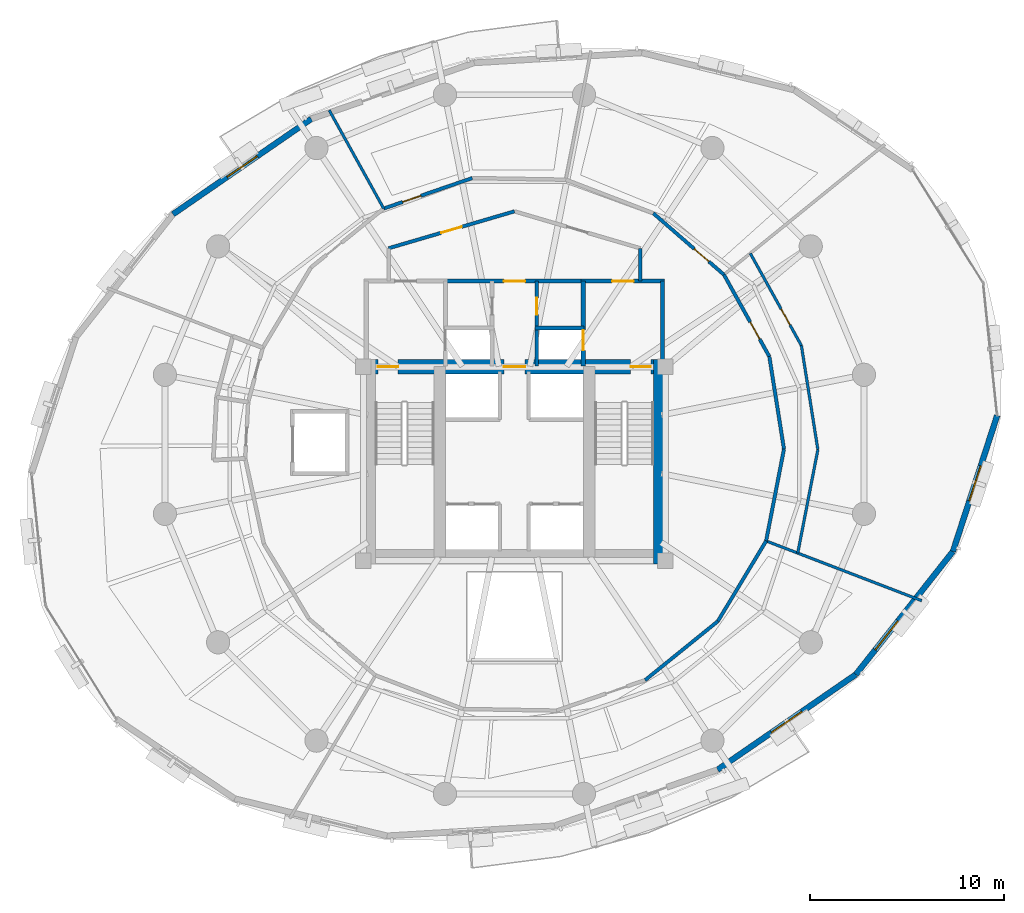
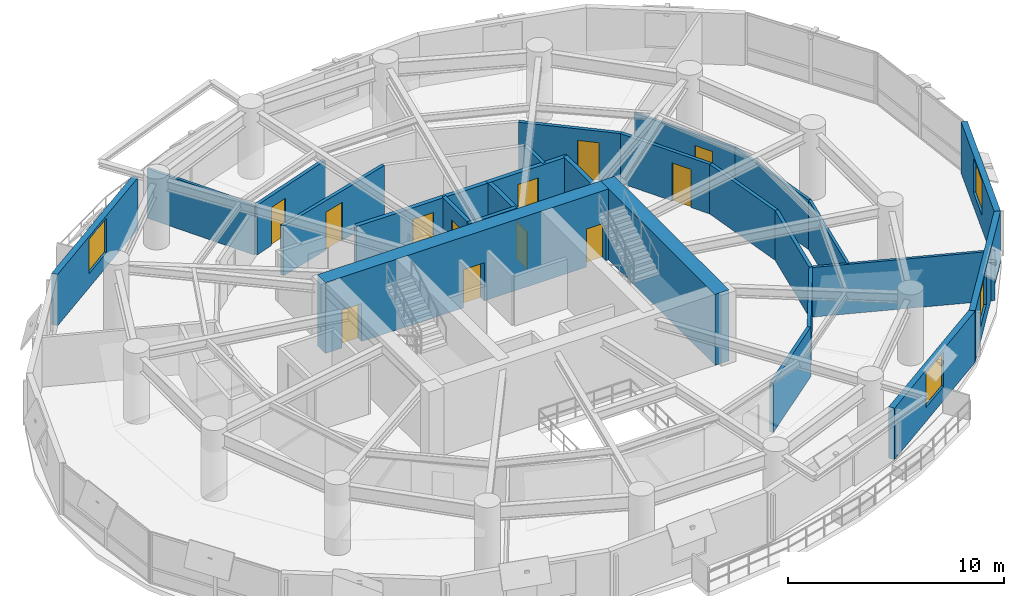
# One storey, part 11 of 15: 26 walls, 12 doors, 4 windows, 16 openings.
"""IFC4 building model written with IfcOpenShell, lengths in metres."""

from ifc_helpers import new_model, si_unit, direction, frame, frame_2d, origin, place, context, subcontext, project, spatial, rectangle, extrude, material, layer, layer_set, type_object, element, fill, save


model = new_model("IFC4")

# Units and contexts
model_context = context("Model", 3, precision=1e-05, world=origin(), true_north=direction((0.0, 1.0)))
body_context = subcontext(model_context, "Body", "Model", "MODEL_VIEW")
ifc_project = project(units=[si_unit("LENGTHUNIT", "METRE"), si_unit("AREAUNIT", "SQUARE_METRE"), si_unit("VOLUMEUNIT", "CUBIC_METRE"), si_unit("PLANEANGLEUNIT", "RADIAN"), si_unit("MASSUNIT", "GRAM", prefix="KILO"), si_unit("THERMODYNAMICTEMPERATUREUNIT", "KELVIN"), si_unit("POWERUNIT", "WATT")], contexts=[model_context])

# Site, building, storey
site_placement = place(None, origin())
site = spatial("IfcSite", under=ifc_project, at=site_placement, CompositionType="ELEMENT")
building_placement = place(site_placement, origin())
building = spatial("IfcBuilding", under=site, at=building_placement, Name="Ocrelia Relay Tower", CompositionType="ELEMENT")
storey_placement = place(building_placement, frame((0.0, 0.0, 113.800048828125)))
storey = spatial("IfcBuildingStorey", under=building, at=storey_placement, Name="L26", CompositionType="ELEMENT", Elevation=113.800048828125)

# Wall, openings, doors
ifc_material_1 = material(Name="Concrete C60/75", Category="concrete")
ifc_layer_1 = layer(ifc_material_1, 0.75, Name="Concrete C60/75")
ifc_layer_set_1 = layer_set([ifc_layer_1], Name="Concrete C60/75")
wall_type_1 = type_object("IfcWallType", Name="CW-CORE-750", PredefinedType="SHEAR", material=ifc_layer_set_1)
wall_1_placement = place(storey_placement, frame((26.072021484375, 30.012939453125, 0.0), z_axis=(0.0, 0.0, 1.0), x_axis=(1.0, 0.0, 0.0)))
wall_1 = element("IfcWall", 1, at=wall_1_placement, inside=storey, type_object=wall_type_1, Name="L26 Core Shear Wall N", PredefinedType="SHEAR", context=body_context, shape_type="SweptSolid", body=[
    extrude(rectangle(XDim=15.865966796875, YDim=0.75, at=frame_2d((7.93310546875, 0.0))), origin(), (0.0, 0.0, 1.0), 4.0),
])
opening_1_placement = place(wall_1_placement, frame((0.8779296875, 0.0, 0.0)))
opening_1 = element("IfcOpeningElement", 2, at=opening_1_placement, cuts=wall_1, Name="Opening D-FD90", PredefinedType="OPENING", context=body_context, shape_type="SweptSolid", body=[
    extrude(rectangle(XDim=1.050048828125, YDim=2.14990234375, at=frame_2d((0.52490234375, 1.074951171875))), frame((0.0, 0.385009765625, 0.0), z_axis=(0.0, -1.0, 0.0), x_axis=(1.0, 0.0, 0.0)), (0.0, 0.0, 1.0), 0.77001953125),
])
opening_2_placement = place(wall_1_placement, frame((13.927978515625, 0.0, 0.0)))
opening_2 = element("IfcOpeningElement", 3, at=opening_2_placement, cuts=wall_1, Name="Opening D-FD90", PredefinedType="OPENING", context=body_context, shape_type="SweptSolid", body=[
    extrude(rectangle(XDim=1.050048828125, YDim=2.14990234375, at=frame_2d((0.52490234375, 1.074951171875))), frame((0.0, 0.385009765625, 0.0), z_axis=(0.0, -1.0, 0.0), x_axis=(1.0, 0.0, 0.0)), (0.0, 0.0, 1.0), 0.77001953125),
])
opening_3_placement = place(wall_1_placement, frame((7.3779296875, 0.0, 0.0)))
opening_3 = element("IfcOpeningElement", 4, at=opening_3_placement, cuts=wall_1, Name="Opening D-FD60", PredefinedType="OPENING", context=body_context, shape_type="SweptSolid", body=[
    extrude(rectangle(XDim=1.10009765625, YDim=2.14990234375, at=frame_2d((0.550048828125, 1.074951171875))), frame((0.0, 0.385009765625, 0.0), z_axis=(0.0, -1.0, 0.0), x_axis=(1.0, 0.0, 0.0)), (0.0, 0.0, 1.0), 0.77001953125),
])
ifc_material_2 = material(Name="Timber-core 60-min acoustic fire door", Category="wood")
door_type_1 = type_object("IfcDoorType", Name="DR-LOBBY-FD60-1100", OperationType="NOTDEFINED", PredefinedType="DOOR", material=ifc_material_2)
door_1_placement = place(opening_3_placement, origin())
door_1 = element("IfcDoor", 5, at=door_1_placement, inside=storey, type_object=door_type_1, Name="L26 Core Lift Lobby North Fire Door", OperationType="SINGLE_SWING_RIGHT", OverallHeight=2.14990234375, OverallWidth=1.10009765625, PredefinedType="DOOR", context=body_context, shape_type="SweptSolid", body=[
    extrude(rectangle(XDim=1.10009765625, YDim=2.14990234375, at=frame_2d((0.550048828125, 1.074951171875))), frame((0.0, 0.02490234375, 0.0), z_axis=(0.0, -1.0, 0.0), x_axis=(1.0, 0.0, 0.0)), (0.0, 0.0, 1.0), 0.050048828125),
])
fill(opening_3, door_1)
ifc_material_3 = material(Name="Steel S355 90-min fire door", Category="steel")
door_type_2 = type_object("IfcDoorType", Name="DR-STAIR-FD90-1050", OperationType="NOTDEFINED", PredefinedType="DOOR", material=ifc_material_3)
door_2_placement = place(opening_1_placement, origin())
door_2 = element("IfcDoor", 6, at=door_2_placement, inside=storey, type_object=door_type_2, Name="L26 Stair ST1 Fire Door", OperationType="SINGLE_SWING_RIGHT", OverallHeight=2.14990234375, OverallWidth=1.050048828125, PredefinedType="DOOR", context=body_context, shape_type="SweptSolid", body=[
    extrude(rectangle(XDim=1.050048828125, YDim=2.14990234375, at=frame_2d((0.52490234375, 1.074951171875))), frame((0.0, 0.02490234375, 0.0), z_axis=(0.0, -1.0, 0.0), x_axis=(1.0, 0.0, 0.0)), (0.0, 0.0, 1.0), 0.050048828125),
])
fill(opening_1, door_2)
door_3_placement = place(opening_2_placement, origin())
door_3 = element("IfcDoor", 7, at=door_3_placement, inside=storey, type_object=door_type_2, Name="L26 Stair ST2 Fire Door", OperationType="SINGLE_SWING_LEFT", OverallHeight=2.14990234375, OverallWidth=1.050048828125, PredefinedType="DOOR", context=body_context, shape_type="SweptSolid", body=[
    extrude(rectangle(XDim=1.050048828125, YDim=2.14990234375, at=frame_2d((0.52490234375, 1.074951171875))), frame((0.0, 0.02490234375, 0.0), z_axis=(0.0, -1.0, 0.0), x_axis=(1.0, 0.0, 0.0)), (0.0, 0.0, 1.0), 0.050048828125),
])
fill(opening_2, door_3)

# Walls
wall_2_placement = place(storey_placement, frame((41.56298828125, 19.81201171875, 0.0), z_axis=(0.0, 0.0, 1.0), x_axis=(0.0, 1.0, 0.0)))
element("IfcWall", 8, at=wall_2_placement, inside=storey, type_object=wall_type_1, Name="L26 Core Shear Wall E", PredefinedType="SHEAR", context=body_context, shape_type="SweptSolid", body=[
    extrude(rectangle(XDim=10.575927734375, YDim=0.75, at=frame_2d((5.2880859375, 0.0))), origin(), (0.0, 0.0, 1.0), 4.0),
])
ifc_material_4 = material(Name="Gypsum Fireboard Partition EI60", Category="gypsum")
ifc_layer_2 = layer(ifc_material_4, 0.179931640625, Name="Gypsum Fireboard Partition EI60")
ifc_layer_set_2 = layer_set([ifc_layer_2], Name="Gypsum Fireboard Partition EI60")
wall_type_2 = type_object("IfcWallType", Name="W-CORR-EI60-180", PredefinedType="PARTITIONING", material=ifc_layer_set_2)
wall_3_placement = place(storey_placement, frame((40.5, 36.122802734375, 0.0), z_axis=(0.0, 0.0, 1.0), x_axis=(0.0, -1.0, 0.0)))
element("IfcWall", 9, at=wall_3_placement, inside=storey, type_object=wall_type_2, Name="L26 Smoke Lobby East Return", PredefinedType="PARTITIONING", context=body_context, shape_type="SweptSolid", body=[
    extrude(rectangle(XDim=1.69287109375, YDim=0.179931640625, at=frame_2d((0.846435546875, 0.0))), origin(), (0.0, 0.0, 1.0), 2.800048828125),
])

# Wall, opening, door
wall_4_placement = place(storey_placement, frame((27.5, 36.122802734375, 0.0), z_axis=(0.0, 0.0, 1.0), x_axis=(0.959546654541, 0.281549671923, 0.0)))
wall_4 = element("IfcWall", 10, at=wall_4_placement, inside=storey, type_object=wall_type_2, Name="L26 North Smoke Lobby W Screen Wall", PredefinedType="PARTITIONING", context=body_context, shape_type="SweptSolid", body=[
    extrude(rectangle(XDim=6.77392578125, YDim=0.179931640625, at=frame_2d((3.386962890625, 0.0))), origin(), (0.0, 0.0, 1.0), 2.800048828125),
])
opening_4_placement = place(wall_4_placement, frame((2.8369140625, 0.0, 0.0)))
opening_4 = element("IfcOpeningElement", 11, at=opening_4_placement, cuts=wall_4, Name="Opening D-FD60", PredefinedType="OPENING", context=body_context, shape_type="SweptSolid", body=[
    extrude(rectangle(XDim=1.10009765625, YDim=2.14990234375, at=frame_2d((0.550048828125, 1.074951171875))), frame((0.0, 0.10009765625, 0.0), z_axis=(0.0, -1.0, 0.0), x_axis=(1.0, 0.0, 0.0)), (0.0, 0.0, 1.0), 0.199951171875),
])
door_4_placement = place(opening_4_placement, origin())
door_4 = element("IfcDoor", 12, at=door_4_placement, inside=storey, type_object=door_type_1, Name="L26 North Smoke Lobby W Fire Door", OperationType="SINGLE_SWING_RIGHT", OverallHeight=2.14990234375, OverallWidth=1.10009765625, PredefinedType="DOOR", context=body_context, shape_type="SweptSolid", body=[
    extrude(rectangle(XDim=1.10009765625, YDim=2.14990234375, at=frame_2d((0.550048828125, 1.074951171875))), frame((0.0, 0.02490234375, 0.0), z_axis=(0.0, -1.0, 0.0), x_axis=(1.0, 0.0, 0.0)), (0.0, 0.0, 1.0), 0.050048828125),
])
fill(opening_4, door_4)

# Walls
wall_5_placement = place(storey_placement, frame((40.74853515625, 13.8251953125, 0.0), z_axis=(0.0, 0.0, 1.0), x_axis=(0.777140194095, 0.629327513082, 0.0)))
element("IfcWall", 13, at=wall_5_placement, inside=storey, type_object=wall_type_2, Name="L26 Optical Switching Hall A Corridor Partition 4", PredefinedType="PARTITIONING", context=body_context, shape_type="SweptSolid", body=[
    extrude(rectangle(XDim=4.83447265625, YDim=0.179931640625, at=frame_2d((2.417236328125, 0.0))), origin(), (0.0, 0.0, 1.0), 2.800048828125),
])
wall_6_placement = place(storey_placement, frame((44.505615234375, 16.86767578125, 0.0), z_axis=(0.0, 0.0, 1.0), x_axis=(0.515022962095, 0.857176381216, 0.0)))
element("IfcWall", 14, at=wall_6_placement, inside=storey, type_object=wall_type_2, Name="L26 Optical Switching Hall A Corridor Partition 5", PredefinedType="PARTITIONING", context=body_context, shape_type="SweptSolid", body=[
    extrude(rectangle(XDim=4.834228515625, YDim=0.179931640625, at=frame_2d((2.4169921875, 0.0))), origin(), (0.0, 0.0, 1.0), 2.800048828125),
])
for number, where, z_axis, x_axis, name in (
    (15, (46.995361328125, 21.011474609375, 0.0), (0.0, 0.0, 1.0), (0.190839922146, 0.981621171387, 0.0), "L26 Training Seminar Room Corridor Partition 1"),
    (16, (47.91796875, 25.757080078125, 0.0), (0.0, 0.0, 1.0), (-0.156450087595, 0.987685866099, 0.0), "L26 Training Seminar Room Corridor Partition 2"),
):
    element("IfcWall", number, at=place(storey_placement, frame(where, z_axis=z_axis, x_axis=x_axis)), inside=storey, type_object=wall_type_2, Name=name, PredefinedType="PARTITIONING", context=body_context, shape_type="SweptSolid", body=[
        extrude(rectangle(XDim=4.83447265625, YDim=0.179931640625, at=frame_2d((2.417236328125, 0.0))), origin(), (0.0, 0.0, 1.0), 2.800048828125),
    ])

# Wall, opening, door
wall_7_placement = place(storey_placement, frame((47.16162109375, 30.531982421875, 0.0), z_axis=(0.0, 0.0, 1.0), x_axis=(-0.484828003388, 0.874609516945, 0.0)))
wall_7 = element("IfcWall", 17, at=wall_7_placement, inside=storey, type_object=wall_type_2, Name="L26 Training Seminar Room Corridor Partition 3", PredefinedType="PARTITIONING", context=body_context, shape_type="SweptSolid", body=[
    extrude(rectangle(XDim=4.834228515625, YDim=0.179931640625, at=frame_2d((2.4169921875, 0.0))), origin(), (0.0, 0.0, 1.0), 2.800048828125),
])
opening_5_placement = place(wall_7_placement, frame((1.03369140625, 0.0, 0.0)))
opening_5 = element("IfcOpeningElement", 18, at=opening_5_placement, cuts=wall_7, Name="Opening D-RM100", PredefinedType="OPENING", context=body_context, shape_type="SweptSolid", body=[
    extrude(rectangle(XDim=1.0, YDim=2.14990234375, at=frame_2d((0.5, 1.074951171875))), frame((0.0, 0.10009765625, 0.0), z_axis=(0.0, -1.0, 0.0), x_axis=(1.0, 0.0, 0.0)), (0.0, 0.0, 1.0), 0.199951171875),
])
ifc_material_5 = material(Name="Acoustic oak veneer fire door", Category="wood")
door_type_3 = type_object("IfcDoorType", Name="DR-ROOM-FD60-1000", OperationType="NOTDEFINED", PredefinedType="DOOR", material=ifc_material_5)
door_5_placement = place(opening_5_placement, origin())
door_5 = element("IfcDoor", 19, at=door_5_placement, inside=storey, type_object=door_type_3, Name="L26 Training Seminar Room Entrance Door", OperationType="SINGLE_SWING_RIGHT", OverallHeight=2.14990234375, OverallWidth=1.0, PredefinedType="DOOR", context=body_context, shape_type="SweptSolid", body=[
    extrude(rectangle(XDim=1.0, YDim=2.14990234375, at=frame_2d((0.5, 1.074951171875))), frame((0.0, 0.02490234375, 0.0), z_axis=(0.0, -1.0, 0.0), x_axis=(1.0, 0.0, 0.0)), (0.0, 0.0, 1.0), 0.050048828125),
])
fill(opening_5, door_5)

wall_8_placement = place(storey_placement, frame((44.81787109375, 34.760009765625, 0.0), z_axis=(0.0, 0.0, 1.0), x_axis=(-0.754696835755, 0.656073689537, 0.0)))
wall_8 = element("IfcWall", 20, at=wall_8_placement, inside=storey, type_object=wall_type_2, Name="L26 Technical Briefing Room Corridor Partition 1", PredefinedType="PARTITIONING", context=body_context, shape_type="SweptSolid", body=[
    extrude(rectangle(XDim=4.834716796875, YDim=0.179931640625, at=frame_2d((2.41748046875, 0.0))), origin(), (0.0, 0.0, 1.0), 2.800048828125),
])
opening_6_placement = place(wall_8_placement, frame((1.03369140625, 0.0, 0.0)))
opening_6 = element("IfcOpeningElement", 21, at=opening_6_placement, cuts=wall_8, Name="Opening D-RM100", PredefinedType="OPENING", context=body_context, shape_type="SweptSolid", body=[
    extrude(rectangle(XDim=1.0, YDim=2.14990234375, at=frame_2d((0.5, 1.074951171875))), frame((0.0, 0.10009765625, 0.0), z_axis=(0.0, -1.0, 0.0), x_axis=(1.0, 0.0, 0.0)), (0.0, 0.0, 1.0), 0.199951171875),
])
door_6_placement = place(opening_6_placement, origin())
door_6 = element("IfcDoor", 22, at=door_6_placement, inside=storey, type_object=door_type_3, Name="L26 Technical Briefing Room Entrance Door", OperationType="SINGLE_SWING_RIGHT", OverallHeight=2.14990234375, OverallWidth=1.0, PredefinedType="DOOR", context=body_context, shape_type="SweptSolid", body=[
    extrude(rectangle(XDim=1.0, YDim=2.14990234375, at=frame_2d((0.5, 1.074951171875))), frame((0.0, 0.02490234375, 0.0), z_axis=(0.0, -1.0, 0.0), x_axis=(1.0, 0.0, 0.0)), (0.0, 0.0, 1.0), 0.050048828125),
])
fill(opening_6, door_6)

wall_9_placement = place(storey_placement, frame((31.822509765625, 39.74853515625, 0.0), z_axis=(0.0, 0.0, 1.0), x_axis=(-0.945531725064, -0.325529963134, 0.0)))
wall_9 = element("IfcWall", 23, at=wall_9_placement, inside=storey, type_object=wall_type_2, Name="L26 Photonics Testing Studio Corridor Partition 2", PredefinedType="PARTITIONING", context=body_context, shape_type="SweptSolid", body=[
    extrude(rectangle(XDim=4.83447265625, YDim=0.179931640625, at=frame_2d((2.417236328125, 0.0))), origin(), (0.0, 0.0, 1.0), 2.800048828125),
])
opening_7_placement = place(wall_9_placement, frame((2.80078125, 0.0, 0.0)))
opening_7 = element("IfcOpeningElement", 24, at=opening_7_placement, cuts=wall_9, Name="Opening D-RM100", PredefinedType="OPENING", context=body_context, shape_type="SweptSolid", body=[
    extrude(rectangle(XDim=1.0, YDim=2.14990234375, at=frame_2d((0.5, 1.074951171875))), frame((0.0, 0.10009765625, 0.0), z_axis=(0.0, -1.0, 0.0), x_axis=(1.0, 0.0, 0.0)), (0.0, 0.0, 1.0), 0.199951171875),
])
door_7_placement = place(opening_7_placement, origin())
door_7 = element("IfcDoor", 25, at=door_7_placement, inside=storey, type_object=door_type_3, Name="L26 Photonics Testing Studio Entrance Door", OperationType="SINGLE_SWING_LEFT", OverallHeight=2.14990234375, OverallWidth=1.0, PredefinedType="DOOR", context=body_context, shape_type="SweptSolid", body=[
    extrude(rectangle(XDim=1.0, YDim=2.14990234375, at=frame_2d((0.5, 1.074951171875))), frame((0.0, 0.02490234375, 0.0), z_axis=(0.0, -1.0, 0.0), x_axis=(1.0, 0.0, 0.0)), (0.0, 0.0, 1.0), 0.050048828125),
])
fill(opening_7, door_7)

# Wall, opening, window
ifc_material_6 = material(Name="Precast concrete C40/50 with oxide terracotta", Category="masonry")
ifc_layer_3 = layer(ifc_material_6, 0.300048828125, Name="Precast concrete C40/50 with oxide terracotta")
ifc_layer_set_3 = layer_set([ifc_layer_3], Name="Precast concrete C40/50 with oxide terracotta")
wall_type_3 = type_object("IfcWallType", Name="W-EXT-TERR-300", PredefinedType="SOLIDWALL", material=ifc_layer_set_3)
wall_10_placement = place(storey_placement, frame((23.5126953125, 42.80322265625, 0.0), z_axis=(0.0, 0.0, 1.0), x_axis=(-0.823433656397, -0.567412560235, 0.0)))
wall_10 = element("IfcWall", 26, at=wall_10_placement, inside=storey, type_object=wall_type_3, Name="L26 Oxide Terracotta Facade Wall 06", PredefinedType="SOLIDWALL", context=body_context, shape_type="SweptSolid", body=[
    extrude(rectangle(XDim=8.6728515625, YDim=0.300048828125, at=frame_2d((4.33642578125, 0.0))), origin(), (0.0, 0.0, 1.0), 2.89990234375),
])
opening_8_placement = place(wall_10_placement, frame((3.385986328125, 0.0, 0.800048828125)))
opening_8 = element("IfcOpeningElement", 27, at=opening_8_placement, cuts=wall_10, Name="Opening W-06", PredefinedType="OPENING", context=body_context, shape_type="SweptSolid", body=[
    extrude(rectangle(XDim=1.89990234375, YDim=1.949951171875, at=frame_2d((0.949951171875, 0.97509765625))), frame((0.0, 0.16015625, 0.0), z_axis=(0.0, -1.0, 0.0), x_axis=(1.0, 0.0, 0.0)), (0.0, 0.0, 1.0), 0.320068359375),
])
ifc_material_7 = material(Name="Clear double-glazed low-E glass", Category="glass")
window_type = type_object("IfcWindowType", Name="WIN-Z2-1900x2100", PartitioningType="DOUBLE_PANEL_VERTICAL", PredefinedType="WINDOW", material=ifc_material_7)
window_1_placement = place(opening_8_placement, origin())
window_1 = element("IfcWindow", 28, at=window_1_placement, inside=storey, type_object=window_type, Name="L26 Facade Module Window 06", OverallHeight=1.949951171875, OverallWidth=1.89990234375, PartitioningType="SINGLE_PANEL", PredefinedType="WINDOW", context=body_context, shape_type="SweptSolid", body=[
    extrude(rectangle(XDim=1.89990234375, YDim=1.949951171875, at=frame_2d((0.949951171875, 0.97509765625))), frame((0.0, 0.030029296875, 0.0), z_axis=(0.0, -1.0, 0.0), x_axis=(1.0, 0.0, 0.0)), (0.0, 0.0, 1.0), 0.06005859375),
])
fill(opening_8, window_1)

wall_11_placement = place(storey_placement, frame((44.4873046875, 9.19677734375, 0.0), z_axis=(0.0, 0.0, 1.0), x_axis=(0.823433656397, 0.567412560235, 0.0)))
wall_11 = element("IfcWall", 29, at=wall_11_placement, inside=storey, type_object=wall_type_3, Name="L26 Oxide Terracotta Facade Wall 15", PredefinedType="SOLIDWALL", context=body_context, shape_type="SweptSolid", body=[
    extrude(rectangle(XDim=8.6728515625, YDim=0.300048828125, at=frame_2d((4.33642578125, 0.0))), origin(), (0.0, 0.0, 1.0), 2.89990234375),
])
opening_9_placement = place(wall_11_placement, frame((3.385986328125, 0.0, 0.800048828125)))
opening_9 = element("IfcOpeningElement", 30, at=opening_9_placement, cuts=wall_11, Name="Opening W-06", PredefinedType="OPENING", context=body_context, shape_type="SweptSolid", body=[
    extrude(rectangle(XDim=1.89990234375, YDim=1.949951171875, at=frame_2d((0.949951171875, 0.97509765625))), frame((0.0, 0.16015625, 0.0), z_axis=(0.0, -1.0, 0.0), x_axis=(1.0, 0.0, 0.0)), (0.0, 0.0, 1.0), 0.320068359375),
])
window_2_placement = place(opening_9_placement, origin())
window_2 = element("IfcWindow", 31, at=window_2_placement, inside=storey, type_object=window_type, Name="L26 Facade Module Window 15", OverallHeight=1.949951171875, OverallWidth=1.89990234375, PartitioningType="SINGLE_PANEL", PredefinedType="WINDOW", context=body_context, shape_type="SweptSolid", body=[
    extrude(rectangle(XDim=1.89990234375, YDim=1.949951171875, at=frame_2d((0.949951171875, 0.97509765625))), frame((0.0, 0.030029296875, 0.0), z_axis=(0.0, -1.0, 0.0), x_axis=(1.0, 0.0, 0.0)), (0.0, 0.0, 1.0), 0.06005859375),
])
fill(opening_9, window_2)

wall_12_placement = place(storey_placement, frame((51.62890625, 14.117919921875, 0.0), z_axis=(0.0, 0.0, 1.0), x_axis=(0.619524983764, 0.784976938828, 0.0)))
wall_12 = element("IfcWall", 32, at=wall_12_placement, inside=storey, type_object=wall_type_3, Name="L26 Oxide Terracotta Facade Wall 16", PredefinedType="SOLIDWALL", context=body_context, shape_type="SweptSolid", body=[
    extrude(rectangle(XDim=8.09521484375, YDim=0.300048828125, at=frame_2d((4.047607421875, 0.0))), origin(), (0.0, 0.0, 1.0), 2.89990234375),
])
opening_10_placement = place(wall_12_placement, frame((1.614990234375, 0.0, 0.800048828125)))
opening_10 = element("IfcOpeningElement", 33, at=opening_10_placement, cuts=wall_12, Name="Opening W-06", PredefinedType="OPENING", context=body_context, shape_type="SweptSolid", body=[
    extrude(rectangle(XDim=1.89990234375, YDim=1.949951171875, at=frame_2d((0.949951171875, 0.97509765625))), frame((0.0, 0.16015625, 0.0), z_axis=(0.0, -1.0, 0.0), x_axis=(1.0, 0.0, 0.0)), (0.0, 0.0, 1.0), 0.320068359375),
])
window_3_placement = place(opening_10_placement, origin())
window_3 = element("IfcWindow", 34, at=window_3_placement, inside=storey, type_object=window_type, Name="L26 Facade Module Window 16", OverallHeight=1.949951171875, OverallWidth=1.89990234375, PartitioningType="SINGLE_PANEL", PredefinedType="WINDOW", context=body_context, shape_type="SweptSolid", body=[
    extrude(rectangle(XDim=1.89990234375, YDim=1.949951171875, at=frame_2d((0.949951171875, 0.97509765625))), frame((0.0, 0.030029296875, 0.0), z_axis=(0.0, -1.0, 0.0), x_axis=(1.0, 0.0, 0.0)), (0.0, 0.0, 1.0), 0.06005859375),
])
fill(opening_10, window_3)

wall_13_placement = place(storey_placement, frame((56.64404296875, 20.472412109375, 0.0), z_axis=(0.0, 0.0, 1.0), x_axis=(0.309344767341, 0.95094995395, 0.0)))
wall_13 = element("IfcWall", 35, at=wall_13_placement, inside=storey, type_object=wall_type_3, Name="L26 Oxide Terracotta Facade Wall 17", PredefinedType="SOLIDWALL", context=body_context, shape_type="SweptSolid", body=[
    extrude(rectangle(XDim=7.383056640625, YDim=0.300048828125, at=frame_2d((3.69140625, 0.0))), origin(), (0.0, 0.0, 1.0), 2.89990234375),
])
opening_11_placement = place(wall_13_placement, frame((2.741943359375, 0.0, 0.800048828125)))
opening_11 = element("IfcOpeningElement", 36, at=opening_11_placement, cuts=wall_13, Name="Opening W-06", PredefinedType="OPENING", context=body_context, shape_type="SweptSolid", body=[
    extrude(rectangle(XDim=1.89990234375, YDim=1.949951171875, at=frame_2d((0.949951171875, 0.97509765625))), frame((0.0, 0.16015625, 0.0), z_axis=(0.0, -1.0, 0.0), x_axis=(1.0, 0.0, 0.0)), (0.0, 0.0, 1.0), 0.320068359375),
])
window_4_placement = place(opening_11_placement, origin())
window_4 = element("IfcWindow", 37, at=window_4_placement, inside=storey, type_object=window_type, Name="L26 Facade Module Window 17", OverallHeight=1.949951171875, OverallWidth=1.89990234375, PartitioningType="SINGLE_PANEL", PredefinedType="WINDOW", context=body_context, shape_type="SweptSolid", body=[
    extrude(rectangle(XDim=1.89990234375, YDim=1.949951171875, at=frame_2d((0.949951171875, 0.97509765625))), frame((0.0, 0.030029296875, 0.0), z_axis=(0.0, -1.0, 0.0), x_axis=(1.0, 0.0, 0.0)), (0.0, 0.0, 1.0), 0.06005859375),
])
fill(opening_11, window_4)

# Wall, opening, door
ifc_material_8 = material(Name="Concrete C50/60", Category="concrete")
ifc_layer_4 = layer(ifc_material_8, 0.219970703125, Name="Concrete C50/60")
ifc_layer_set_4 = layer_set([ifc_layer_4], Name="Concrete C50/60")
wall_type_4 = type_object("IfcWallType", Name="W-FFL-EI120-220", PredefinedType="SOLIDWALL", material=ifc_layer_set_4)
wall_14_placement = place(storey_placement, frame((37.56005859375, 30.050048828125, 0.0), z_axis=(0.0, 0.0, 1.0), x_axis=(0.0, 1.0, 0.0)))
wall_14 = element("IfcWall", 38, at=wall_14_placement, inside=storey, type_object=wall_type_4, Name="L26 E Fire Service Lift Lobby West Wall", PredefinedType="SOLIDWALL", context=body_context, shape_type="SweptSolid", body=[
    extrude(rectangle(XDim=4.3798828125, YDim=0.219970703125, at=frame_2d((2.18994140625, 0.0))), origin(), (0.0, 0.0, 1.0), 2.800048828125),
])
opening_12_placement = place(wall_14_placement, frame((0.800048828125, 0.0, 0.0)))
opening_12 = element("IfcOpeningElement", 39, at=opening_12_placement, cuts=wall_14, Name="Opening LD-FFL2", PredefinedType="OPENING", context=body_context, shape_type="SweptSolid", body=[
    extrude(rectangle(XDim=1.050048828125, YDim=2.10009765625, at=frame_2d((0.52490234375, 1.050048828125))), frame((0.0, 0.1201171875, 0.0), z_axis=(0.0, -1.0, 0.0), x_axis=(1.0, 0.0, 0.0)), (0.0, 0.0, 1.0), 0.239990234375),
])
ifc_material_9 = material(Name="Brushed stainless steel S355 lift landing door", Category="steel")
door_type_4 = type_object("IfcDoorType", Name="DR-LIFT-LAND-1050", OperationType="DOUBLE_DOOR_SLIDING", PredefinedType="USERDEFINED", material=ifc_material_9)
door_8_placement = place(opening_12_placement, origin())
door_8 = element("IfcDoor", 40, at=door_8_placement, inside=storey, type_object=door_type_4, Name="L26 Firefighting Lift FFL2 Sliding Landing Door", ObjectType="LANDING DOOR", OperationType="DOUBLE_DOOR_SLIDING", OverallHeight=2.10009765625, OverallWidth=1.050048828125, PredefinedType="USERDEFINED", context=body_context, shape_type="SweptSolid", body=[
    extrude(rectangle(XDim=1.050048828125, YDim=2.10009765625, at=frame_2d((0.52490234375, 1.050048828125))), frame((0.0, 0.02490234375, 0.0), z_axis=(0.0, -1.0, 0.0), x_axis=(1.0, 0.0, 0.0)), (0.0, 0.0, 1.0), 0.050048828125),
])
fill(opening_12, door_8)

# Wall
wall_15_placement = place(storey_placement, frame((41.64990234375, 30.050048828125, 0.0), z_axis=(0.0, 0.0, 1.0), x_axis=(0.0, 1.0, 0.0)))
element("IfcWall", 41, at=wall_15_placement, inside=storey, type_object=wall_type_4, Name="L26 E Fire Service Lift Lobby East Wall", PredefinedType="SOLIDWALL", context=body_context, shape_type="SweptSolid", body=[
    extrude(rectangle(XDim=4.3798828125, YDim=0.219970703125, at=frame_2d((2.18994140625, 0.0))), origin(), (0.0, 0.0, 1.0), 2.800048828125),
])

# Wall, opening, door
wall_16_placement = place(storey_placement, frame((37.449951171875, 34.429931640625, 0.0), z_axis=(0.0, 0.0, 1.0), x_axis=(1.0, 0.0, 0.0)))
wall_16 = element("IfcWall", 42, at=wall_16_placement, inside=storey, type_object=wall_type_4, Name="L26 E Fire Service Lift Lobby North Wall", PredefinedType="SOLIDWALL", context=body_context, shape_type="SweptSolid", body=[
    extrude(rectangle(XDim=4.31005859375, YDim=0.219970703125, at=frame_2d((2.155029296875, 0.0))), origin(), (0.0, 0.0, 1.0), 2.800048828125),
])
opening_13_placement = place(wall_16_placement, frame((1.60009765625, 0.0, 0.0)))
opening_13 = element("IfcOpeningElement", 43, at=opening_13_placement, cuts=wall_16, Name="Opening D-FD60", PredefinedType="OPENING", context=body_context, shape_type="SweptSolid", body=[
    extrude(rectangle(XDim=1.10009765625, YDim=2.14990234375, at=frame_2d((0.550048828125, 1.074951171875))), frame((0.0, 0.1201171875, 0.0), z_axis=(0.0, -1.0, 0.0), x_axis=(1.0, 0.0, 0.0)), (0.0, 0.0, 1.0), 0.239990234375),
])
door_9_placement = place(opening_13_placement, origin())
door_9 = element("IfcDoor", 44, at=door_9_placement, inside=storey, type_object=door_type_1, Name="L26 E Fire Service Lift Lobby Exit Door", OperationType="SINGLE_SWING_LEFT", OverallHeight=2.14990234375, OverallWidth=1.10009765625, PredefinedType="DOOR", context=body_context, shape_type="SweptSolid", body=[
    extrude(rectangle(XDim=1.10009765625, YDim=2.14990234375, at=frame_2d((0.550048828125, 1.074951171875))), frame((0.0, 0.02490234375, 0.0), z_axis=(0.0, -1.0, 0.0), x_axis=(1.0, 0.0, 0.0)), (0.0, 0.0, 1.0), 0.050048828125),
])
fill(opening_13, door_9)

wall_17_placement = place(storey_placement, frame((30.43994140625, 34.429931640625, 0.0), z_axis=(0.0, 0.0, 1.0), x_axis=(1.0, 0.0, 0.0)))
wall_17 = element("IfcWall", 45, at=wall_17_placement, inside=storey, type_object=wall_type_4, Name="L26 North Core Vestibule Wall", PredefinedType="SOLIDWALL", context=body_context, shape_type="SweptSolid", body=[
    extrude(rectangle(XDim=7.1201171875, YDim=0.219970703125, at=frame_2d((3.56005859375, 0.0))), origin(), (0.0, 0.0, 1.0), 2.800048828125),
])
opening_14_placement = place(wall_17_placement, frame((3.010009765625, 0.0, 0.0)))
opening_14 = element("IfcOpeningElement", 46, at=opening_14_placement, cuts=wall_17, Name="Opening D-FD60", PredefinedType="OPENING", context=body_context, shape_type="SweptSolid", body=[
    extrude(rectangle(XDim=1.10009765625, YDim=2.14990234375, at=frame_2d((0.550048828125, 1.074951171875))), frame((0.0, 0.1201171875, 0.0), z_axis=(0.0, -1.0, 0.0), x_axis=(1.0, 0.0, 0.0)), (0.0, 0.0, 1.0), 0.239990234375),
])
door_10_placement = place(opening_14_placement, origin())
door_10 = element("IfcDoor", 47, at=door_10_placement, inside=storey, type_object=door_type_1, Name="L26 North Core Vestibule Corridor Door", OperationType="SINGLE_SWING_LEFT", OverallHeight=2.14990234375, OverallWidth=1.10009765625, PredefinedType="DOOR", context=body_context, shape_type="SweptSolid", body=[
    extrude(rectangle(XDim=1.10009765625, YDim=2.14990234375, at=frame_2d((0.550048828125, 1.074951171875))), frame((0.0, 0.02490234375, 0.0), z_axis=(0.0, -1.0, 0.0), x_axis=(1.0, 0.0, 0.0)), (0.0, 0.0, 1.0), 0.050048828125),
])
fill(opening_14, door_10)

# Walls
ifc_material_10 = material(Name="Acoustic Fireboard Partition EI60", Category="gypsum")
ifc_layer_5 = layer(ifc_material_10, 0.139892578125, Name="Acoustic Fireboard Partition EI60")
ifc_layer_set_5 = layer_set([ifc_layer_5], Name="Acoustic Fireboard Partition EI60")
wall_type_5 = type_object("IfcWallType", Name="W-PART-140", PredefinedType="PARTITIONING", material=ifc_layer_set_5)
wall_18_placement = place(storey_placement, frame((46.995361328125, 21.011474609375, 0.0), z_axis=(0.0, 0.0, 1.0), x_axis=(0.933580863833, -0.358366810244, 0.0)))
element("IfcWall", 48, at=wall_18_placement, inside=storey, type_object=wall_type_5, Name="L26 Optical Switching Hall A Radial Partition", PredefinedType="PARTITIONING", context=body_context, shape_type="SweptSolid", body=[
    extrude(rectangle(XDim=8.60498046875, YDim=0.139892578125, at=frame_2d((4.302490234375, 0.0))), origin(), (0.0, 0.0, 1.0), 2.800048828125),
])
wall_19_placement = place(storey_placement, frame((48.629150390625, 20.384521484375, 0.0), z_axis=(0.0, 0.0, 1.0), x_axis=(0.190798813065, 0.981629162634, 0.0)))
element("IfcWall", 49, at=wall_19_placement, inside=storey, type_object=wall_type_5, Name="L26 Perimeter Training Seminar Room Mid-Ring Partition 1", PredefinedType="PARTITIONING", context=body_context, shape_type="SweptSolid", body=[
    extrude(rectangle(XDim=5.44189453125, YDim=0.139892578125, at=frame_2d((2.720947265625, 0.0))), origin(), (0.0, 0.0, 1.0), 2.800048828125),
])
wall_20_placement = place(storey_placement, frame((49.66748046875, 25.7265625, 0.0), z_axis=(0.0, 0.0, 1.0), x_axis=(-0.156384127869, 0.987696311905, 0.0)))
element("IfcWall", 50, at=wall_20_placement, inside=storey, type_object=wall_type_5, Name="L26 Perimeter Training Seminar Room Mid-Ring Partition 2", PredefinedType="PARTITIONING", context=body_context, shape_type="SweptSolid", body=[
    extrude(rectangle(XDim=5.442138671875, YDim=0.139892578125, at=frame_2d((2.72119140625, 0.0))), origin(), (0.0, 0.0, 1.0), 2.800048828125),
])

# Wall, opening, door
wall_21_placement = place(storey_placement, frame((48.81640625, 31.101806640625, 0.0), z_axis=(0.0, 0.0, 1.0), x_axis=(-0.48481616563, 0.874616078942, 0.0)))
wall_21 = element("IfcWall", 51, at=wall_21_placement, inside=storey, type_object=wall_type_5, Name="L26 Perimeter Training Seminar Room Mid-Ring Partition 3", PredefinedType="PARTITIONING", context=body_context, shape_type="SweptSolid", body=[
    extrude(rectangle(XDim=5.442138671875, YDim=0.139892578125, at=frame_2d((2.72119140625, 0.0))), origin(), (0.0, 0.0, 1.0), 2.800048828125),
])
opening_15_placement = place(wall_21_placement, frame((1.212890625, 0.0, 0.0)))
opening_15 = element("IfcOpeningElement", 52, at=opening_15_placement, cuts=wall_21, Name="Opening D-RM95", PredefinedType="OPENING", context=body_context, shape_type="SweptSolid", body=[
    extrude(rectangle(XDim=0.949951171875, YDim=2.14990234375, at=frame_2d((0.47509765625, 1.074951171875))), frame((0.0, 0.080078125, 0.0), z_axis=(0.0, -1.0, 0.0), x_axis=(1.0, 0.0, 0.0)), (0.0, 0.0, 1.0), 0.159912109375),
])
door_type_5 = type_object("IfcDoorType", Name="DR-ROOM-950", OperationType="NOTDEFINED", PredefinedType="DOOR", material=ifc_material_5)
door_11_placement = place(opening_15_placement, origin())
door_11 = element("IfcDoor", 53, at=door_11_placement, inside=storey, type_object=door_type_5, Name="L26 Perimeter Training Seminar Room Connecting Door", OperationType="SINGLE_SWING_LEFT", OverallHeight=2.14990234375, OverallWidth=0.949951171875, PredefinedType="DOOR", context=body_context, shape_type="SweptSolid", body=[
    extrude(rectangle(XDim=0.949951171875, YDim=2.14990234375, at=frame_2d((0.47509765625, 1.074951171875))), frame((0.0, 0.02490234375, 0.0), z_axis=(0.0, -1.0, 0.0), x_axis=(1.0, 0.0, 0.0)), (0.0, 0.0, 1.0), 0.050048828125),
])
fill(opening_15, door_11)

# Walls
wall_22_placement = place(storey_placement, frame((27.25146484375, 38.1748046875, 0.0), z_axis=(0.0, 0.0, 1.0), x_axis=(-0.484806879047, 0.874621226605, 0.0)))
element("IfcWall", 54, at=wall_22_placement, inside=storey, type_object=wall_type_5, Name="L26 Photonics Testing Studio Radial Partition", PredefinedType="PARTITIONING", context=body_context, shape_type="SweptSolid", body=[
    extrude(rectangle(XDim=5.80322265625, YDim=0.139892578125, at=frame_2d((2.901611328125, 0.0))), origin(), (0.0, 0.0, 1.0), 2.800048828125),
])
ifc_layer_6 = layer(ifc_material_8, 0.199951171875, Name="Concrete C50/60")
ifc_layer_set_6 = layer_set([ifc_layer_6], Name="Concrete C50/60")
wall_type_6 = type_object("IfcWallType", Name="W-SHAFT-EI120-200", PredefinedType="SOLIDWALL", material=ifc_layer_set_6)
wall_23_placement = place(storey_placement, frame((35.050048828125, 32.0, 0.0), z_axis=(0.0, 0.0, 1.0), x_axis=(1.0, 0.0, 0.0)))
element("IfcWall", 55, at=wall_23_placement, inside=storey, type_object=wall_type_6, Name="L26 FFL2 Hoistway North Wall", PredefinedType="SOLIDWALL", context=body_context, shape_type="SweptSolid", body=[
    extrude(rectangle(XDim=2.550048828125, YDim=0.199951171875, at=frame_2d((1.27490234375, 0.0))), origin(), (0.0, 0.0, 1.0), 2.800048828125),
])

# Wall, opening, door
wall_24_placement = place(storey_placement, frame((35.14990234375, 30.050048828125, 0.0), z_axis=(0.0, 0.0, 1.0), x_axis=(0.0, 1.0, 0.0)))
wall_24 = element("IfcWall", 56, at=wall_24_placement, inside=storey, type_object=wall_type_6, Name="L26 FFL2 and Service Vestibule Wall", PredefinedType="SOLIDWALL", context=body_context, shape_type="SweptSolid", body=[
    extrude(rectangle(XDim=4.3798828125, YDim=0.199951171875, at=frame_2d((2.18994140625, 0.0))), origin(), (0.0, 0.0, 1.0), 2.800048828125),
])
opening_16_placement = place(wall_24_placement, frame((2.64990234375, 0.0, 0.0)))
opening_16 = element("IfcOpeningElement", 57, at=opening_16_placement, cuts=wall_24, Name="Opening D-RS86", PredefinedType="OPENING", context=body_context, shape_type="SweptSolid", body=[
    extrude(rectangle(XDim=0.860107421875, YDim=2.050048828125, at=frame_2d((0.43017578125, 1.02490234375))), frame((0.0, 0.10986328125, 0.0), z_axis=(0.0, -1.0, 0.0), x_axis=(1.0, 0.0, 0.0)), (0.0, 0.0, 1.0), 0.219970703125),
])
ifc_material_11 = material(Name="Steel S355 riser access fire door", Category="steel")
door_type_6 = type_object("IfcDoorType", Name="DR-RISER-TRAP-860", OperationType="NOTDEFINED", PredefinedType="TRAPDOOR", material=ifc_material_11)
door_12_placement = place(opening_16_placement, origin())
door_12 = element("IfcDoor", 58, at=door_12_placement, inside=storey, type_object=door_type_6, Name="L26 Core Support Room E Door", OperationType="SINGLE_SWING_RIGHT", OverallHeight=2.050048828125, OverallWidth=0.860107421875, PredefinedType="TRAPDOOR", context=body_context, shape_type="SweptSolid", body=[
    extrude(rectangle(XDim=0.860107421875, YDim=2.050048828125, at=frame_2d((0.43017578125, 1.02490234375))), frame((0.0, 0.02490234375, 0.0), z_axis=(0.0, -1.0, 0.0), x_axis=(1.0, 0.0, 0.0)), (0.0, 0.0, 1.0), 0.050048828125),
])
fill(opening_16, door_12)

save(model, "model.ifc")
